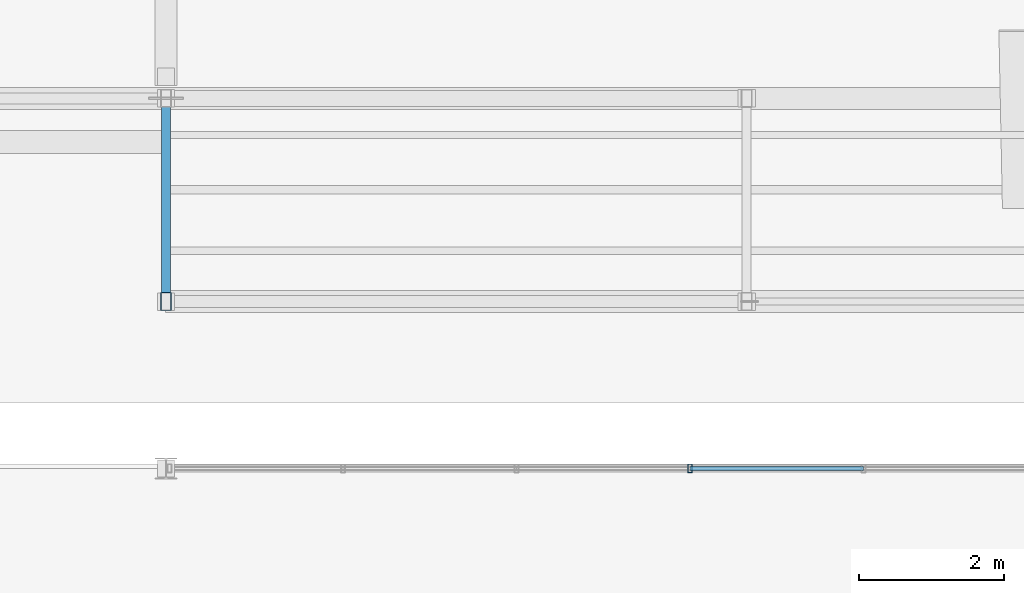
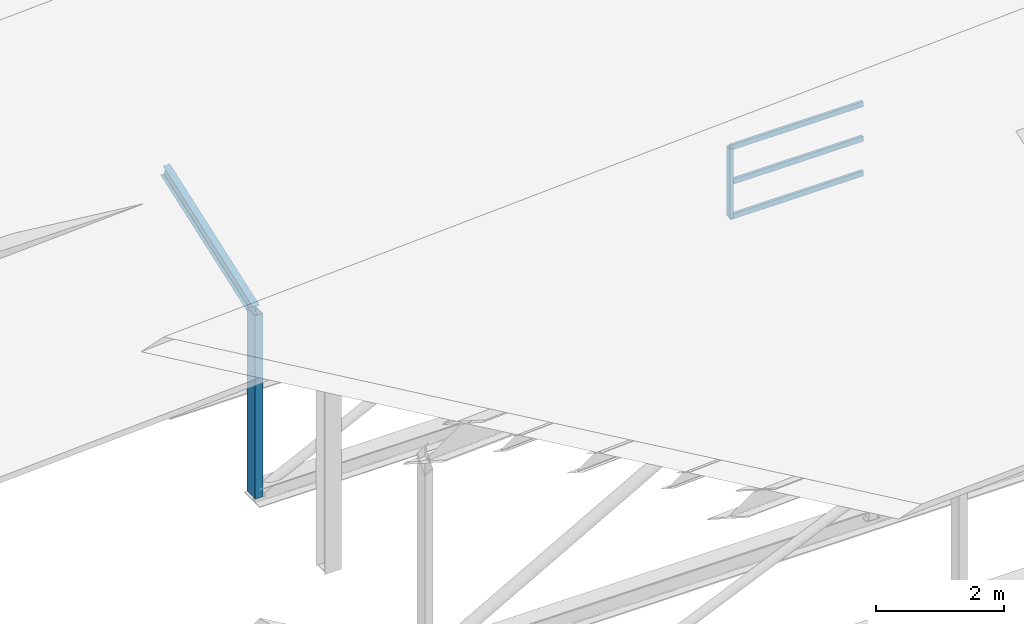
# One storey, part 74 of 141: 6 members, 1 element without a shape of its own.
"""IFC4 building model written with IfcOpenShell, lengths in metres."""

from ifc_helpers import new_model, si_unit, direction, frame, origin, origin_2d, place, context, subcontext, project, spatial, hollow_rectangle, i_section, extrude, material, material_profile, profile_set, type_object, element, aggregate, save


model = new_model("IFC4")

# Units and contexts
model_context = context("Model", 3, precision=1e-05, world=origin(), true_north=direction((0.0, 1.0)))
body_context = subcontext(model_context, "Body", "Model", "MODEL_VIEW")
ifc_project = project(units=[si_unit("LENGTHUNIT", "METRE"), si_unit("AREAUNIT", "SQUARE_METRE"), si_unit("VOLUMEUNIT", "CUBIC_METRE"), si_unit("PLANEANGLEUNIT", "RADIAN"), si_unit("MASSUNIT", "GRAM", prefix="KILO")], contexts=[model_context])

# Site, building, storey
site_placement = place(None, origin())
site = spatial("IfcSite", under=ifc_project, at=site_placement, CompositionType="ELEMENT")
building_placement = place(site_placement, origin())
building = spatial("IfcBuilding", under=site, at=building_placement, Name="Sundkrona Museum", CompositionType="ELEMENT")
storey_placement = place(building_placement, frame((0.0, 0.0, 34.0)))
storey = spatial("IfcBuildingStorey", under=building, at=storey_placement, Name="RF", CompositionType="ELEMENT", Elevation=34.0)

# Curtain wall, member
ifc_material_1 = material(Name="Unitised Aluminium-Steel and Ceramic-Clad Curtain Walling", Category="steel")
curtain_wall_type = type_object("IfcCurtainWallType", Name="CW-SW-240x13", PredefinedType="NOTDEFINED", material=ifc_material_1)
curtain_wall_placement = place(storey_placement, origin())
curtain_wall = element("IfcCurtainWall", 1, at=curtain_wall_placement, inside=storey, type_object=curtain_wall_type, Name="Sawtooth Bay 5 West North-Light Clerestory", PredefinedType="NOTDEFINED")
ifc_material_2 = material(Name="Aluminium EN AW-6060 T66", Category="aluminium")
ifc_material_profile_1 = material_profile(ifc_material_2, hollow_rectangle(XDim=0.06005859375, YDim=0.1201171875, WallThickness=0.0048828125, at=origin_2d()), Name="RHS 120x60x5.0")
ifc_profile_set_1 = profile_set([ifc_material_profile_1], Name="Aluminium EN AW-6060 T66")
member_type_1 = type_object("IfcMemberType", Name="ML-120", PredefinedType="MULLION", material=ifc_profile_set_1)
member_1_placement = place(storey_placement, frame((127.219970703125, 34.60009765625, 3.89306640625), z_axis=(0.0, 0.0, 1.0), x_axis=(1.0, 0.0, 0.0)))
member_1 = element("IfcMember", 2, at=member_1_placement, type_object=member_type_1, Name="CW-RF-SAW-05W Mullion 04", PredefinedType="MULLION", context=body_context, shape_type="SweptSolid", body=[
    extrude(hollow_rectangle(XDim=0.06005859375, YDim=0.1201171875, WallThickness=0.0048828125, at=origin_2d()), origin(), (0.0, 0.0, 1.0), 1.31982421875),
])

# Members
ifc_material_3 = material(Name="Steel S355J2", Category="steel")
ifc_material_profile_2 = material_profile(ifc_material_3, i_section(OverallWidth=0.1201171875, OverallDepth=0.239990234375, WebThickness=0.006103515625, FlangeThickness=0.009765625, FilletRadius=0.014892578125, at=origin_2d()), Name="IPE 240")
ifc_profile_set_2 = profile_set([ifc_material_profile_2], Name="Steel S355J2")
member_type_2 = type_object("IfcMemberType", Name="PR-IPE240", PredefinedType="PURLIN", material=ifc_profile_set_2)
member_2_placement = place(storey_placement, frame((120.0, 36.89990234375, 3.23681640625), z_axis=(0.0, 0.942729033287, 0.333559544605), x_axis=(-1.0, 0.0, 0.0)))
element("IfcMember", 3, at=member_2_placement, inside=storey, type_object=member_type_2, Name="RFS-1 Sawtooth Bay 6 Transverse Rafter 1", PredefinedType="PURLIN", context=body_context, shape_type="SweptSolid", body=[
    extrude(i_section(OverallWidth=0.1201171875, OverallDepth=0.239990234375, WebThickness=0.006103515625, FlangeThickness=0.009765625, FilletRadius=0.014892578125, at=origin_2d()), origin(), (0.0, 0.0, 1.0), 2.97021484375),
])
ifc_material_profile_3 = material_profile(ifc_material_3, hollow_rectangle(XDim=0.14990234375, YDim=0.25, WallThickness=0.010009765625, at=origin_2d()), Name="RHS 250x150x10.0")
ifc_profile_set_3 = profile_set([ifc_material_profile_3], Name="Steel S355J2")
member_type_3 = type_object("IfcMemberType", Name="ST-RHS250", PredefinedType="STRUT", material=ifc_profile_set_3)
member_3_placement = place(storey_placement, frame((120.0, 36.89990234375, -0.25), z_axis=(0.0, 0.0, 1.0), x_axis=(1.0, 0.0, 0.0)))
element("IfcMember", 4, at=member_3_placement, inside=storey, type_object=member_type_3, Name="RFS-1 Sawtooth Bay 6 Valley Post 1", PredefinedType="STRUT", context=body_context, shape_type="SweptSolid", body=[
    extrude(hollow_rectangle(XDim=0.14990234375, YDim=0.25, WallThickness=0.010009765625, at=origin_2d()), origin(), (0.0, 0.0, 1.0), 3.48681640625),
])

# Member
ifc_material_profile_4 = material_profile(ifc_material_2, hollow_rectangle(XDim=0.050048828125, YDim=0.10009765625, WallThickness=0.0048828125, at=origin_2d()), Name="RHS 100x50x5.0")
ifc_profile_set_4 = profile_set([ifc_material_profile_4], Name="Aluminium EN AW-6060 T66")
member_type_4 = type_object("IfcMemberType", Name="TR-100", PredefinedType="USERDEFINED", material=ifc_profile_set_4)
member_4_placement = place(storey_placement, frame((127.219970703125, 34.60009765625, 3.89306640625), z_axis=(1.0, 0.0, 0.0), x_axis=(0.0, 1.0, 0.0)))
member_4 = element("IfcMember", 5, at=member_4_placement, type_object=member_type_4, Name="CW-RF-SAW-05W Transom 10", ObjectType="TRANSOM", PredefinedType="USERDEFINED", context=body_context, shape_type="SweptSolid", body=[
    extrude(hollow_rectangle(XDim=0.050048828125, YDim=0.10009765625, WallThickness=0.0048828125, at=origin_2d()), origin(), (0.0, 0.0, 1.0), 2.39013671875),
])

member_5_placement = place(storey_placement, frame((127.219970703125, 34.60009765625, 4.552978515625), z_axis=(1.0, 0.0, 0.0), x_axis=(0.0, 1.0, 0.0)))
member_5 = element("IfcMember", 6, at=member_5_placement, type_object=member_type_4, Name="CW-RF-SAW-05W Transom 11", ObjectType="TRANSOM", PredefinedType="USERDEFINED", context=body_context, shape_type="SweptSolid", body=[
    extrude(hollow_rectangle(XDim=0.050048828125, YDim=0.10009765625, WallThickness=0.0048828125, at=origin_2d()), origin(), (0.0, 0.0, 1.0), 2.39013671875),
])

member_6_placement = place(storey_placement, frame((127.219970703125, 34.60009765625, 5.212890625), z_axis=(1.0, 0.0, 0.0), x_axis=(0.0, 1.0, 0.0)))
member_6 = element("IfcMember", 7, at=member_6_placement, type_object=member_type_4, Name="CW-RF-SAW-05W Transom 12", ObjectType="TRANSOM", PredefinedType="USERDEFINED", context=body_context, shape_type="SweptSolid", body=[
    extrude(hollow_rectangle(XDim=0.050048828125, YDim=0.10009765625, WallThickness=0.0048828125, at=origin_2d()), origin(), (0.0, 0.0, 1.0), 2.39013671875),
])

aggregate(curtain_wall, [member_1, member_4, member_5, member_6])

save(model, "model.ifc")
